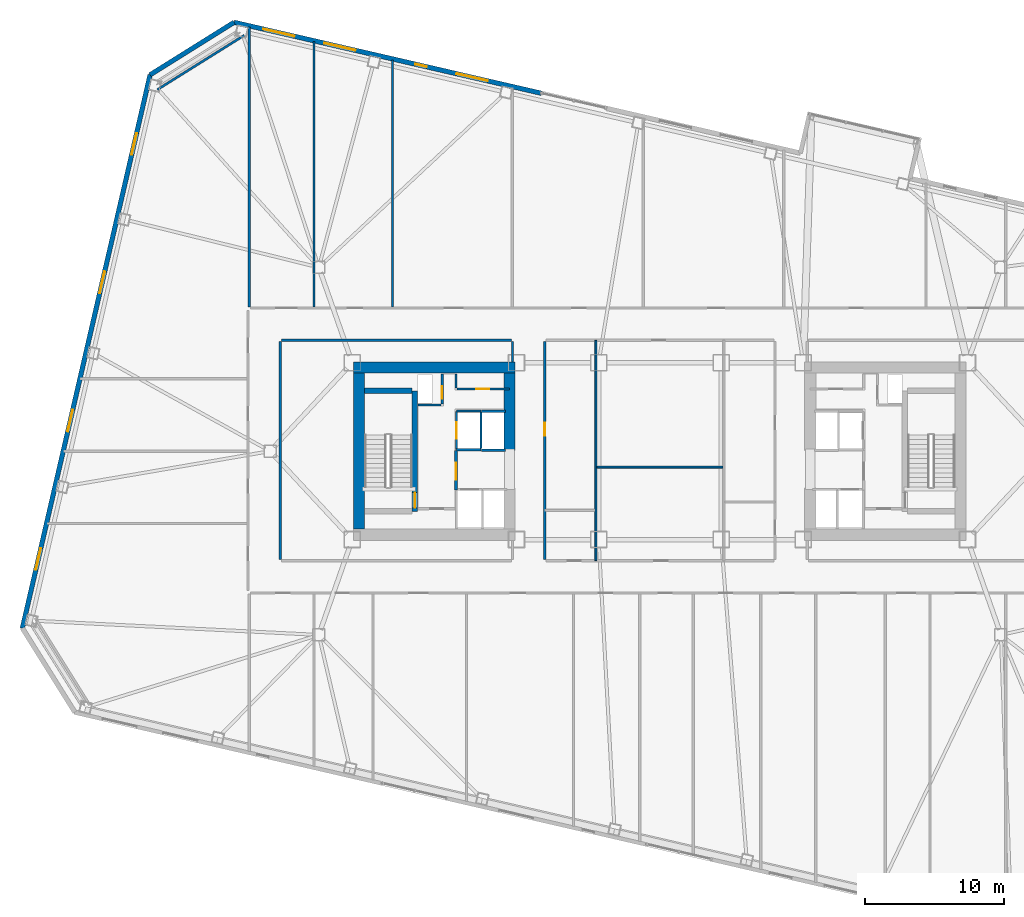
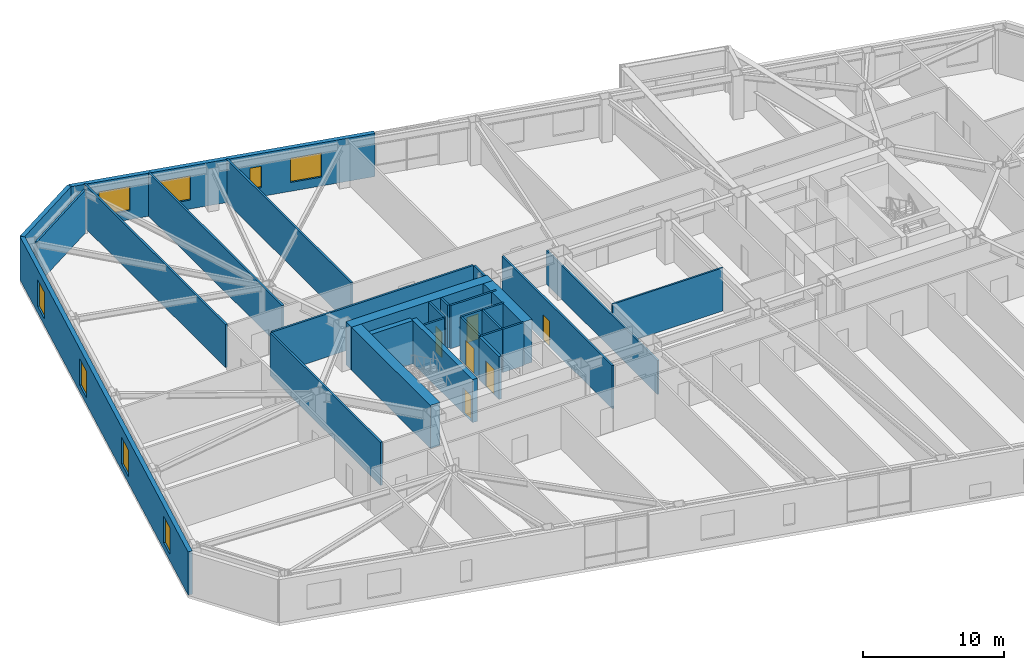
# One storey, part 15 of 23: 29 walls, 8 windows, 6 doors, 14 openings.
"""IFC4 building model written with IfcOpenShell, lengths in metres."""

from ifc_helpers import new_model, si_unit, direction, frame, frame_2d, origin, place, context, subcontext, project, spatial, rectangle, extrude, material, layer, layer_set, type_object, element, fill, save


model = new_model("IFC4")

# Units and contexts
model_context = context("Model", 3, precision=1e-05, world=origin(), true_north=direction((0.0, 1.0)))
body_context = subcontext(model_context, "Body", "Model", "MODEL_VIEW")
ifc_project = project(units=[si_unit("LENGTHUNIT", "METRE"), si_unit("AREAUNIT", "SQUARE_METRE"), si_unit("VOLUMEUNIT", "CUBIC_METRE"), si_unit("PLANEANGLEUNIT", "RADIAN"), si_unit("MASSUNIT", "GRAM", prefix="KILO")], contexts=[model_context])

# Site, building, storey
site_placement = place(None, origin())
site = spatial("IfcSite", under=ifc_project, at=site_placement, CompositionType="ELEMENT")
building_placement = place(site_placement, origin())
building = spatial("IfcBuilding", under=site, at=building_placement, Name="Tavrogorsk Clinical Tower", CompositionType="ELEMENT")
storey_placement = place(building_placement, frame((0.0, 0.0, 63.39990234375)))
storey = spatial("IfcBuildingStorey", under=building, at=storey_placement, Name="L13", CompositionType="ELEMENT", Elevation=63.39990234375)

# Wall, opening, door
ifc_material_1 = material(Name="Concrete B60", Category="concrete")
ifc_layer_1 = layer(ifc_material_1, 0.199951171875)
ifc_layer_set_1 = layer_set([ifc_layer_1], Name="Concrete B60")
wall_type_1 = type_object("IfcWallType", Name="CoreFireWall_200", PredefinedType="SOLIDWALL", material=ifc_layer_set_1)
wall_1_placement = place(storey_placement, frame((-14.639892578125, -2.780029296875, 0.0), z_axis=(0.0, 0.0, 1.0), x_axis=(0.0, 1.0, 0.0)))
wall_1 = element("IfcWall", 1, at=wall_1_placement, inside=storey, type_object=wall_type_1, Name="L13 Core West Firefighting Lobby Fire Wall", PredefinedType="SOLIDWALL", context=body_context, shape_type="SweptSolid", body=[
    extrude(rectangle(XDim=2.820068359375, YDim=0.199951171875, at=frame_2d((1.41015625, 0.0))), origin(), (0.0, 0.0, 1.0), 3.739990234375),
])
opening_1_placement = place(wall_1_placement, frame((0.72998046875, 0.0, 0.0)))
opening_1 = element("IfcOpeningElement", 2, at=opening_1_placement, cuts=wall_1, Name="Opening FD-01", PredefinedType="OPENING", context=body_context, shape_type="SweptSolid", body=[
    extrude(rectangle(XDim=1.199951171875, YDim=2.199951171875, at=frame_2d((0.60009765625, 1.10009765625))), frame((0.0, 0.10986328125, 0.0), z_axis=(0.0, -1.0, 0.0), x_axis=(1.0, 0.0, 0.0)), (0.0, 0.0, 1.0), 0.219970703125),
])
ifc_material_2 = material(Name="Galvanised steel fire-rated door assembly", Category="steel")
door_type_1 = type_object("IfcDoorType", Name="FireDoor_FD01_1200", OperationType="NOTDEFINED", PredefinedType="DOOR", material=ifc_material_2)
door_1_placement = place(opening_1_placement, origin())
door_1 = element("IfcDoor", 3, at=door_1_placement, inside=storey, type_object=door_type_1, Name="L13 Core West Firefighting Lobby Entry Door", OperationType="SINGLE_SWING_RIGHT", OverallHeight=2.199951171875, OverallWidth=1.199951171875, PredefinedType="DOOR", context=body_context, shape_type="SweptSolid", body=[
    extrude(rectangle(XDim=1.199951171875, YDim=2.199951171875, at=frame_2d((0.60009765625, 1.10009765625))), frame((0.0, 0.02490234375, 0.0), z_axis=(0.0, -1.0, 0.0), x_axis=(1.0, 0.0, 0.0)), (0.0, 0.0, 1.0), 0.050048828125),
])
fill(opening_1, door_1)

# Walls
ifc_material_3 = material(Name="Lightweight concrete blockwork B15", Category="masonry")
ifc_layer_2 = layer(ifc_material_3, 0.139892578125)
ifc_layer_set_2 = layer_set([ifc_layer_2], Name="Lightweight concrete blockwork B15")
wall_type_2 = type_object("IfcWallType", Name="PartitionWall_140", PredefinedType="PARTITIONING", material=ifc_layer_set_2)
wall_2_placement = place(storey_placement, frame((-4.60009765625, -7.864990234375, 0.0), z_axis=(0.0, 0.0, 1.0), x_axis=(0.0, 1.0, 0.0)))
element("IfcWall", 4, at=wall_2_placement, inside=storey, type_object=wall_type_2, Name="L13 Central Spine Partition 1", PredefinedType="PARTITIONING", context=body_context, shape_type="SweptSolid", body=[
    extrude(rectangle(XDim=15.830078125, YDim=0.139892578125, at=frame_2d((7.9150390625, 0.0))), origin(), (0.0, 0.0, 1.0), 2.93505859375),
])
wall_3_placement = place(storey_placement, frame((-4.52490234375, -1.14990234375, 0.0), z_axis=(0.0, 0.0, 1.0), x_axis=(1.0, 0.0, 0.0)))
element("IfcWall", 5, at=wall_3_placement, inside=storey, type_object=wall_type_2, Name="L13 Central Spine Partition 3", PredefinedType="PARTITIONING", context=body_context, shape_type="SweptSolid", body=[
    extrude(rectangle(XDim=9.0498046875, YDim=0.139892578125, at=frame_2d((4.52490234375, 0.0))), origin(), (0.0, 0.0, 1.0), 3.739990234375),
])

# Wall, opening, door
ifc_material_4 = material(Name="Lightweight concrete blockwork B15", Category="masonry")
ifc_layer_3 = layer(ifc_material_4, 0.159912109375)
ifc_layer_set_3 = layer_set([ifc_layer_3], Name="Lightweight concrete blockwork B15")
wall_type_3 = type_object("IfcWallType", Name="PartitionWall_160", PredefinedType="PARTITIONING", material=ifc_layer_set_3)
wall_4_placement = place(storey_placement, frame((-14.554931640625, 4.4599609375, 0.0), z_axis=(0.0, 0.0, 1.0), x_axis=(1.0, 0.0, 0.0)))
wall_4 = element("IfcWall", 6, at=wall_4_placement, inside=storey, type_object=wall_type_3, Name="L13 Core West Pneumatic Dispatch South Wall", PredefinedType="PARTITIONING", context=body_context, shape_type="SweptSolid", body=[
    extrude(rectangle(XDim=3.7548828125, YDim=0.159912109375, at=frame_2d((1.87744140625, 0.0))), origin(), (0.0, 0.0, 1.0), 3.739990234375),
])
opening_2_placement = place(wall_4_placement, frame((1.35009765625, 0.0, 0.0)))
opening_2 = element("IfcOpeningElement", 7, at=opening_2_placement, cuts=wall_4, Name="Opening ID-02", PredefinedType="OPENING", context=body_context, shape_type="SweptSolid", body=[
    extrude(rectangle(XDim=0.949951171875, YDim=2.199951171875, at=frame_2d((0.47509765625, 1.10009765625))), frame((0.0, 0.08984375, 0.0), z_axis=(0.0, -1.0, 0.0), x_axis=(1.0, 0.0, 0.0)), (0.0, 0.0, 1.0), 0.179931640625),
])
ifc_material_5 = material(Name="Laminated timber leaf on aluminium frame", Category="wood")
door_type_2 = type_object("IfcDoorType", Name="InteriorDoor_ID02_950", OperationType="NOTDEFINED", PredefinedType="DOOR", material=ifc_material_5)
door_2_placement = place(opening_2_placement, origin())
door_2 = element("IfcDoor", 8, at=door_2_placement, inside=storey, type_object=door_type_2, Name="L13 Core West Pneumatic Dispatch Door", OperationType="SINGLE_SWING_LEFT", OverallHeight=2.199951171875, OverallWidth=0.949951171875, PredefinedType="DOOR", context=body_context, shape_type="SweptSolid", body=[
    extrude(rectangle(XDim=0.949951171875, YDim=2.199951171875, at=frame_2d((0.47509765625, 1.10009765625))), frame((0.0, 0.02490234375, 0.0), z_axis=(0.0, -1.0, 0.0), x_axis=(1.0, 0.0, 0.0)), (0.0, 0.0, 1.0), 0.050048828125),
])
fill(opening_2, door_2)

# Walls
wall_5_placement = place(storey_placement, frame((-14.639892578125, 4.544921875, 0.0), z_axis=(0.0, 0.0, 1.0), x_axis=(0.0, 1.0, 0.0)))
element("IfcWall", 9, at=wall_5_placement, inside=storey, type_object=wall_type_3, Name="L13 Core West Pneumatic Dispatch East Wall", PredefinedType="PARTITIONING", context=body_context, shape_type="SweptSolid", body=[
    extrude(rectangle(XDim=1.01513671875, YDim=0.159912109375, at=frame_2d((0.507568359375, 0.0))), origin(), (0.0, 0.0, 1.0), 3.739990234375),
])
wall_6_placement = place(storey_placement, frame((-29.859619140625, 29.8681640625, 0.0), z_axis=(0.0, 0.0, 1.0), x_axis=(-0.848043064089, -0.529927317139, 0.0)))
element("IfcWall", 10, at=wall_6_placement, inside=storey, type_object=wall_type_3, Name="L13 Corner Exoskeleton Brace Furring Wall 3", PredefinedType="PARTITIONING", context=body_context, shape_type="SweptSolid", body=[
    extrude(rectangle(XDim=7.353759765625, YDim=0.159912109375, at=frame_2d((3.6767578125, 0.0))), origin(), (0.0, 0.0, 1.0), 3.739990234375),
])

# Wall, opening, door
wall_7_placement = place(storey_placement, frame((-8.27001953125, 7.885009765625, 0.0), z_axis=(0.0, 0.0, 1.0), x_axis=(0.0, -1.0, 0.0)))
wall_7 = element("IfcWall", 11, at=wall_7_placement, inside=storey, type_object=wall_type_3, Name="L13 Corridor Partition 12", PredefinedType="PARTITIONING", context=body_context, shape_type="SweptSolid", body=[
    extrude(rectangle(XDim=15.669921875, YDim=0.159912109375, at=frame_2d((7.8349609375, 0.0))), origin(), (0.0, 0.0, 1.0), 3.739990234375),
])
opening_3_placement = place(wall_7_placement, frame((5.8291015625, 0.0, 0.0)))
opening_3 = element("IfcOpeningElement", 12, at=opening_3_placement, cuts=wall_7, Name="Opening ID-02", PredefinedType="OPENING", context=body_context, shape_type="SweptSolid", body=[
    extrude(rectangle(XDim=0.949951171875, YDim=2.199951171875, at=frame_2d((0.47509765625, 1.10009765625))), frame((0.0, 0.08984375, 0.0), z_axis=(0.0, -1.0, 0.0), x_axis=(1.0, 0.0, 0.0)), (0.0, 0.0, 1.0), 0.179931640625),
])
door_3_placement = place(opening_3_placement, origin())
door_3 = element("IfcDoor", 13, at=door_3_placement, inside=storey, type_object=door_type_2, Name="L13 Ward Nourishment Pantry Door", OperationType="SINGLE_SWING_RIGHT", OverallHeight=2.199951171875, OverallWidth=0.949951171875, PredefinedType="DOOR", context=body_context, shape_type="SweptSolid", body=[
    extrude(rectangle(XDim=0.949951171875, YDim=2.199951171875, at=frame_2d((0.47509765625, 1.10009765625))), frame((0.0, 0.02490234375, 0.0), z_axis=(0.0, -1.0, 0.0), x_axis=(1.0, 0.0, 0.0)), (0.0, 0.0, 1.0), 0.050048828125),
])
fill(opening_3, door_3)

# Walls
wall_8_placement = place(storey_placement, frame((-10.580078125, 6.419921875, 0.0), z_axis=(0.0, 0.0, 1.0), x_axis=(0.0, 1.0, 0.0)))
element("IfcWall", 14, at=wall_8_placement, inside=storey, type_object=wall_type_3, Name="L13 Corridor Partition 15", PredefinedType="PARTITIONING", context=body_context, shape_type="SweptSolid", body=[
    extrude(rectangle(XDim=1.465087890625, YDim=0.159912109375, at=frame_2d((0.732421875, 0.0))), origin(), (0.0, 0.0, 1.0), 3.739990234375),
])
wall_9_placement = place(storey_placement, frame((-10.6650390625, 7.969970703125, 0.0), z_axis=(0.0, 0.0, 1.0), x_axis=(-1.0, 0.0, 0.0)))
element("IfcWall", 15, at=wall_9_placement, inside=storey, type_object=wall_type_3, Name="L13 Corridor Partition 16", PredefinedType="PARTITIONING", context=body_context, shape_type="SweptSolid", body=[
    extrude(rectangle(XDim=16.52001953125, YDim=0.159912109375, at=frame_2d((8.260009765625, 0.0))), origin(), (0.0, 0.0, 1.0), 3.739990234375),
])
wall_10_placement = place(storey_placement, frame((-27.27001953125, 7.885009765625, 0.0), z_axis=(0.0, 0.0, 1.0), x_axis=(0.0, -1.0, 0.0)))
element("IfcWall", 16, at=wall_10_placement, inside=storey, type_object=wall_type_3, Name="L13 Corridor Partition 17", PredefinedType="PARTITIONING", context=body_context, shape_type="SweptSolid", body=[
    extrude(rectangle(XDim=15.669921875, YDim=0.159912109375, at=frame_2d((7.8349609375, 0.0))), origin(), (0.0, 0.0, 1.0), 3.739990234375),
])
wall_11_placement = place(storey_placement, frame((-29.5, 10.364990234375, 0.0), z_axis=(0.0, 0.0, 1.0), x_axis=(0.0, 1.0, 0.0)))
element("IfcWall", 17, at=wall_11_placement, inside=storey, type_object=wall_type_3, Name="L13 NW Wing Closure Partition", PredefinedType="PARTITIONING", context=body_context, shape_type="SweptSolid", body=[
    extrude(rectangle(XDim=20.11865234375, YDim=0.159912109375, at=frame_2d((10.059326171875, 0.0))), origin(), (0.0, 0.0, 1.0), 3.739990234375),
])
wall_12_placement = place(storey_placement, frame((-24.85009765625, 10.364990234375, 0.0), z_axis=(0.0, 0.0, 1.0), x_axis=(0.0, 1.0, 0.0)))
element("IfcWall", 18, at=wall_12_placement, inside=storey, type_object=wall_type_3, Name="L13 North Room Partition 1", PredefinedType="PARTITIONING", context=body_context, shape_type="SweptSolid", body=[
    extrude(rectangle(XDim=19.045166015625, YDim=0.159912109375, at=frame_2d((9.5224609375, 0.0))), origin(), (0.0, 0.0, 1.0), 3.739990234375),
])
wall_13_placement = place(storey_placement, frame((-19.199951171875, 10.364990234375, 0.0), z_axis=(0.0, 0.0, 1.0), x_axis=(0.0, 1.0, 0.0)))
element("IfcWall", 19, at=wall_13_placement, inside=storey, type_object=wall_type_3, Name="L13 North Room Partition 2", PredefinedType="PARTITIONING", context=body_context, shape_type="SweptSolid", body=[
    extrude(rectangle(XDim=17.74072265625, YDim=0.159912109375, at=frame_2d((8.870361328125, 0.0))), origin(), (0.0, 0.0, 1.0), 3.739990234375),
])

# Wall, openings, windows
ifc_material_6 = material(Name="Precast concrete B45 with limestone cladding", Category="masonry")
ifc_layer_4 = layer(ifc_material_6, 0.340087890625)
ifc_layer_set_4 = layer_set([ifc_layer_4], Name="Precast concrete B45 with limestone cladding")
wall_type_4 = type_object("IfcWallType", Name="PrecastLimestoneWall_340", PredefinedType="STANDARD", material=ifc_layer_set_4)
wall_14_placement = place(storey_placement, frame((-8.5166015625, 25.711181640625, 0.0), z_axis=(0.0, 0.0, 1.0), x_axis=(-0.974372845456, 0.224939009598, 0.0)))
wall_14 = element("IfcWall", 20, at=wall_14_placement, inside=storey, type_object=wall_type_4, Name="L13 N Limestone Facade Wall 3", PredefinedType="STANDARD", context=body_context, shape_type="SweptSolid", body=[
    extrude(rectangle(XDim=22.651611328125, YDim=0.340087890625, at=frame_2d((11.32568359375, 0.0))), origin(), (0.0, 0.0, 1.0), 3.739990234375),
])
opening_4_placement = place(wall_14_placement, frame((18.189208984375, 0.0, 0.77001953125)))
opening_4 = element("IfcOpeningElement", 21, at=opening_4_placement, cuts=wall_14, Name="Opening WN-12", PredefinedType="OPENING", context=body_context, shape_type="SweptSolid", body=[
    extrude(rectangle(XDim=2.300048828125, YDim=2.10009765625, at=frame_2d((1.14990234375, 1.050048828125))), frame((0.0, 0.179931640625, 0.0), z_axis=(0.0, -1.0, 0.0), x_axis=(1.0, 0.0, 0.0)), (0.0, 0.0, 1.0), 0.360107421875),
])
opening_5_placement = place(wall_14_placement, frame((13.704833984375, 0.0, 0.77001953125)))
opening_5 = element("IfcOpeningElement", 22, at=opening_5_placement, cuts=wall_14, Name="Opening WN-12", PredefinedType="OPENING", context=body_context, shape_type="SweptSolid", body=[
    extrude(rectangle(XDim=2.300048828125, YDim=2.10009765625, at=frame_2d((1.14990234375, 1.050048828125))), frame((0.0, 0.179931640625, 0.0), z_axis=(0.0, -1.0, 0.0), x_axis=(1.0, 0.0, 0.0)), (0.0, 0.0, 1.0), 0.360107421875),
])
opening_6_placement = place(wall_14_placement, frame((8.440673828125, 0.0, 0.77001953125)))
opening_6 = element("IfcOpeningElement", 23, at=opening_6_placement, cuts=wall_14, Name="Opening WN-06", PredefinedType="OPENING", context=body_context, shape_type="SweptSolid", body=[
    extrude(rectangle(XDim=0.85009765625, YDim=1.85009765625, at=frame_2d((0.425048828125, 0.925048828125))), frame((0.0, 0.179931640625, 0.0), z_axis=(0.0, -1.0, 0.0), x_axis=(1.0, 0.0, 0.0)), (0.0, 0.0, 1.0), 0.360107421875),
])
opening_7_placement = place(wall_14_placement, frame((3.956298828125, 0.0, 0.77001953125)))
opening_7 = element("IfcOpeningElement", 24, at=opening_7_placement, cuts=wall_14, Name="Opening WN-12", PredefinedType="OPENING", context=body_context, shape_type="SweptSolid", body=[
    extrude(rectangle(XDim=2.300048828125, YDim=2.10009765625, at=frame_2d((1.14990234375, 1.050048828125))), frame((0.0, 0.179931640625, 0.0), z_axis=(0.0, -1.0, 0.0), x_axis=(1.0, 0.0, 0.0)), (0.0, 0.0, 1.0), 0.360107421875),
])
ifc_material_7 = material(Name="Thermally broken aluminium frame and triple IGU", Category="aluminium")
window_type_1 = type_object("IfcWindowType", Name="MullionSubWin_850x1850", PartitioningType="SINGLE_PANEL", PredefinedType="WINDOW", material=ifc_material_7)
window_1_placement = place(opening_6_placement, origin())
window_1 = element("IfcWindow", 25, at=window_1_placement, inside=storey, type_object=window_type_1, Name="L13 N Mullion Split Window 03A", OverallHeight=1.85009765625, OverallWidth=0.85009765625, PartitioningType="SINGLE_PANEL", PredefinedType="WINDOW", context=body_context, shape_type="SweptSolid", body=[
    extrude(rectangle(XDim=0.85009765625, YDim=1.85009765625, at=frame_2d((0.425048828125, 0.925048828125))), frame((0.0, 0.030029296875, 0.0), z_axis=(0.0, -1.0, 0.0), x_axis=(1.0, 0.0, 0.0)), (0.0, 0.0, 1.0), 0.06005859375),
])
fill(opening_6, window_1)
ifc_material_8 = material(Name="Thermally broken aluminium frame and triple IGU", Category="aluminium")
window_type_2 = type_object("IfcWindowType", Name="RecoveryWin_2300x2100", PartitioningType="DOUBLE_PANEL_VERTICAL", PredefinedType="WINDOW", material=ifc_material_8)
window_2_placement = place(opening_4_placement, origin())
window_2 = element("IfcWindow", 26, at=window_2_placement, inside=storey, type_object=window_type_2, Name="L13 N Chicago Window 01", OverallHeight=2.10009765625, OverallWidth=2.300048828125, PartitioningType="SINGLE_PANEL", PredefinedType="WINDOW", context=body_context, shape_type="SweptSolid", body=[
    extrude(rectangle(XDim=2.300048828125, YDim=2.10009765625, at=frame_2d((1.14990234375, 1.050048828125))), frame((0.0, 0.030029296875, 0.0), z_axis=(0.0, -1.0, 0.0), x_axis=(1.0, 0.0, 0.0)), (0.0, 0.0, 1.0), 0.06005859375),
])
fill(opening_4, window_2)
window_3_placement = place(opening_5_placement, origin())
window_3 = element("IfcWindow", 27, at=window_3_placement, inside=storey, type_object=window_type_2, Name="L13 N Chicago Window 02", OverallHeight=2.10009765625, OverallWidth=2.300048828125, PartitioningType="SINGLE_PANEL", PredefinedType="WINDOW", context=body_context, shape_type="SweptSolid", body=[
    extrude(rectangle(XDim=2.300048828125, YDim=2.10009765625, at=frame_2d((1.14990234375, 1.050048828125))), frame((0.0, 0.030029296875, 0.0), z_axis=(0.0, -1.0, 0.0), x_axis=(1.0, 0.0, 0.0)), (0.0, 0.0, 1.0), 0.06005859375),
])
fill(opening_5, window_3)
window_4_placement = place(opening_7_placement, origin())
window_4 = element("IfcWindow", 28, at=window_4_placement, inside=storey, type_object=window_type_2, Name="L13 N Chicago Window 04", OverallHeight=2.10009765625, OverallWidth=2.300048828125, PartitioningType="SINGLE_PANEL", PredefinedType="WINDOW", context=body_context, shape_type="SweptSolid", body=[
    extrude(rectangle(XDim=2.300048828125, YDim=2.10009765625, at=frame_2d((1.14990234375, 1.050048828125))), frame((0.0, 0.030029296875, 0.0), z_axis=(0.0, -1.0, 0.0), x_axis=(1.0, 0.0, 0.0)), (0.0, 0.0, 1.0), 0.06005859375),
])
fill(opening_7, window_4)

wall_15_placement = place(storey_placement, frame((-36.6201171875, 27.036865234375, 0.0), z_axis=(0.0, 0.0, 1.0), x_axis=(-0.224951280646, -0.974370012539, 0.0)))
wall_15 = element("IfcWall", 29, at=wall_15_placement, inside=storey, type_object=wall_type_4, Name="L13 W Pleated Limestone Wing Wall", PredefinedType="STANDARD", context=body_context, shape_type="SweptSolid", body=[
    extrude(rectangle(XDim=40.7998046875, YDim=0.340087890625, at=frame_2d((20.39990234375, 0.0))), origin(), (0.0, 0.0, 1.0), 3.739990234375),
])
opening_8_placement = place(wall_15_placement, frame((4.300048828125, 0.0, 0.580078125)))
opening_8 = element("IfcOpeningElement", 30, at=opening_8_placement, cuts=wall_15, Name="Opening WN-07", PredefinedType="OPENING", context=body_context, shape_type="SweptSolid", body=[
    extrude(rectangle(XDim=1.60009765625, YDim=2.300048828125, at=frame_2d((0.800048828125, 1.14990234375))), frame((0.0, 0.179931640625, 0.0), z_axis=(0.0, -1.0, 0.0), x_axis=(1.0, 0.0, 0.0)), (0.0, 0.0, 1.0), 0.360107421875),
])
opening_9_placement = place(wall_15_placement, frame((14.5, 0.0, 0.580078125)))
opening_9 = element("IfcOpeningElement", 31, at=opening_9_placement, cuts=wall_15, Name="Opening WN-07", PredefinedType="OPENING", context=body_context, shape_type="SweptSolid", body=[
    extrude(rectangle(XDim=1.60009765625, YDim=2.300048828125, at=frame_2d((0.800048828125, 1.14990234375))), frame((0.0, 0.179931640625, 0.0), z_axis=(0.0, -1.0, 0.0), x_axis=(1.0, 0.0, 0.0)), (0.0, 0.0, 1.0), 0.360107421875),
])
opening_10_placement = place(wall_15_placement, frame((24.699951171875, 0.0, 0.580078125)))
opening_10 = element("IfcOpeningElement", 32, at=opening_10_placement, cuts=wall_15, Name="Opening WN-07", PredefinedType="OPENING", context=body_context, shape_type="SweptSolid", body=[
    extrude(rectangle(XDim=1.60009765625, YDim=2.300048828125, at=frame_2d((0.800048828125, 1.14990234375))), frame((0.0, 0.179931640625, 0.0), z_axis=(0.0, -1.0, 0.0), x_axis=(1.0, 0.0, 0.0)), (0.0, 0.0, 1.0), 0.360107421875),
])
opening_11_placement = place(wall_15_placement, frame((34.89990234375, 0.0, 0.580078125)))
opening_11 = element("IfcOpeningElement", 33, at=opening_11_placement, cuts=wall_15, Name="Opening WN-07", PredefinedType="OPENING", context=body_context, shape_type="SweptSolid", body=[
    extrude(rectangle(XDim=1.60009765625, YDim=2.300048828125, at=frame_2d((0.800048828125, 1.14990234375))), frame((0.0, 0.179931640625, 0.0), z_axis=(0.0, -1.0, 0.0), x_axis=(1.0, 0.0, 0.0)), (0.0, 0.0, 1.0), 0.360107421875),
])
ifc_material_9 = material(Name="Thermally broken aluminium frame and triple IGU", Category="aluminium")
window_type_3 = type_object("IfcWindowType", Name="PleatSlotWin_1600x2300", PartitioningType="SINGLE_PANEL", PredefinedType="WINDOW", material=ifc_material_9)
window_5_placement = place(opening_8_placement, origin())
window_5 = element("IfcWindow", 34, at=window_5_placement, inside=storey, type_object=window_type_3, Name="L13 W Pleat Slot Window 1", OverallHeight=2.300048828125, OverallWidth=1.60009765625, PartitioningType="SINGLE_PANEL", PredefinedType="WINDOW", context=body_context, shape_type="SweptSolid", body=[
    extrude(rectangle(XDim=1.60009765625, YDim=2.300048828125, at=frame_2d((0.800048828125, 1.14990234375))), frame((0.0, 0.030029296875, 0.0), z_axis=(0.0, -1.0, 0.0), x_axis=(1.0, 0.0, 0.0)), (0.0, 0.0, 1.0), 0.06005859375),
])
fill(opening_8, window_5)
window_6_placement = place(opening_9_placement, origin())
window_6 = element("IfcWindow", 35, at=window_6_placement, inside=storey, type_object=window_type_3, Name="L13 W Pleat Slot Window 2", OverallHeight=2.300048828125, OverallWidth=1.60009765625, PartitioningType="SINGLE_PANEL", PredefinedType="WINDOW", context=body_context, shape_type="SweptSolid", body=[
    extrude(rectangle(XDim=1.60009765625, YDim=2.300048828125, at=frame_2d((0.800048828125, 1.14990234375))), frame((0.0, 0.030029296875, 0.0), z_axis=(0.0, -1.0, 0.0), x_axis=(1.0, 0.0, 0.0)), (0.0, 0.0, 1.0), 0.06005859375),
])
fill(opening_9, window_6)
window_7_placement = place(opening_10_placement, origin())
window_7 = element("IfcWindow", 36, at=window_7_placement, inside=storey, type_object=window_type_3, Name="L13 W Pleat Slot Window 3", OverallHeight=2.300048828125, OverallWidth=1.60009765625, PartitioningType="SINGLE_PANEL", PredefinedType="WINDOW", context=body_context, shape_type="SweptSolid", body=[
    extrude(rectangle(XDim=1.60009765625, YDim=2.300048828125, at=frame_2d((0.800048828125, 1.14990234375))), frame((0.0, 0.030029296875, 0.0), z_axis=(0.0, -1.0, 0.0), x_axis=(1.0, 0.0, 0.0)), (0.0, 0.0, 1.0), 0.06005859375),
])
fill(opening_10, window_7)
window_8_placement = place(opening_11_placement, origin())
window_8 = element("IfcWindow", 37, at=window_8_placement, inside=storey, type_object=window_type_3, Name="L13 W Pleat Slot Window 4", OverallHeight=2.300048828125, OverallWidth=1.60009765625, PartitioningType="SINGLE_PANEL", PredefinedType="WINDOW", context=body_context, shape_type="SweptSolid", body=[
    extrude(rectangle(XDim=1.60009765625, YDim=2.300048828125, at=frame_2d((0.800048828125, 1.14990234375))), frame((0.0, 0.030029296875, 0.0), z_axis=(0.0, -1.0, 0.0), x_axis=(1.0, 0.0, 0.0)), (0.0, 0.0, 1.0), 0.06005859375),
])
fill(opening_11, window_8)

# Wall
wall_16_placement = place(storey_placement, frame((-30.587646484375, 30.806640625, 0.0), z_axis=(0.0, 0.0, 1.0), x_axis=(-0.848031080615, -0.529946493819, 0.0)))
element("IfcWall", 38, at=wall_16_placement, inside=storey, type_object=wall_type_4, Name="L13 Chamfered Corner Wall 3", PredefinedType="STANDARD", context=body_context, shape_type="SweptSolid", body=[
    extrude(rectangle(XDim=7.113525390625, YDim=0.340087890625, at=frame_2d((3.556640625, 0.0))), origin(), (0.0, 0.0, 1.0), 3.739990234375),
])

# Wall, opening, door
ifc_material_10 = material(Name="Lightweight concrete blockwork B25", Category="masonry")
ifc_layer_5 = layer(ifc_material_10, 0.159912109375)
ifc_layer_set_5 = layer_set([ifc_layer_5], Name="Lightweight concrete blockwork B25")
wall_type_5 = type_object("IfcWallType", Name="ShaftWall_160", PredefinedType="PARTITIONING", material=ifc_layer_set_5)
wall_17_placement = place(storey_placement, frame((-14.60009765625, 0.1201171875, 0.0), z_axis=(0.0, 0.0, 1.0), x_axis=(0.0, 1.0, 0.0)))
wall_17 = element("IfcWall", 39, at=wall_17_placement, inside=storey, type_object=wall_type_5, Name="L13 FFL-W Firefighting Lift Front Wall", PredefinedType="PARTITIONING", context=body_context, shape_type="SweptSolid", body=[
    extrude(rectangle(XDim=2.739990234375, YDim=0.159912109375, at=frame_2d((1.3701171875, 0.0))), origin(), (0.0, 0.0, 1.0), 3.739990234375),
])
opening_12_placement = place(wall_17_placement, frame((0.77001953125, 0.0, 0.0)))
opening_12 = element("IfcOpeningElement", 40, at=opening_12_placement, cuts=wall_17, Name="Opening LD", PredefinedType="OPENING", context=body_context, shape_type="SweptSolid", body=[
    extrude(rectangle(XDim=1.199951171875, YDim=2.199951171875, at=frame_2d((0.60009765625, 1.10009765625))), frame((0.0, 0.08984375, 0.0), z_axis=(0.0, -1.0, 0.0), x_axis=(1.0, 0.0, 0.0)), (0.0, 0.0, 1.0), 0.179931640625),
])
ifc_material_11 = material(Name="Brushed stainless steel AISI 304 sliding doors", Category="steel")
door_type_3 = type_object("IfcDoorType", Name="LiftLandingDoor_LD_1200", OperationType="SLIDING_TO_LEFT", PredefinedType="DOOR", material=ifc_material_11)
door_4_placement = place(opening_12_placement, origin())
door_4 = element("IfcDoor", 41, at=door_4_placement, inside=storey, type_object=door_type_3, Name="L13 FFL-W Sliding Lift Landing Door", OperationType="SLIDING_TO_LEFT", OverallHeight=2.199951171875, OverallWidth=1.199951171875, PredefinedType="DOOR", context=body_context, shape_type="SweptSolid", body=[
    extrude(rectangle(XDim=1.199951171875, YDim=2.199951171875, at=frame_2d((0.60009765625, 1.10009765625))), frame((0.0, 0.02490234375, 0.0), z_axis=(0.0, -1.0, 0.0), x_axis=(1.0, 0.0, 0.0)), (0.0, 0.0, 1.0), 0.050048828125),
])
fill(opening_12, door_4)

# Walls
for number, where, z_axis, x_axis, name in (
    (42, (-14.60009765625, 0.10009765625, 0.0), (0.0, 0.0, 1.0), (1.0, 0.0, 0.0), "L13 FFL-W Shaft South Wall"),
    (43, (-14.60009765625, 2.8798828125, 0.0), (0.0, 0.0, 1.0), (1.0, 0.0, 0.0), "L13 FFL-W Shaft North Wall"),
):
    element("IfcWall", number, at=place(storey_placement, frame(where, z_axis=z_axis, x_axis=x_axis)), inside=storey, type_object=wall_type_5, Name=name, PredefinedType="PARTITIONING", context=body_context, shape_type="SweptSolid", body=[
        extrude(rectangle(XDim=1.760009765625, YDim=0.159912109375, at=frame_2d((0.8798828125, 0.0))), origin(), (0.0, 0.0, 1.0), 3.739990234375),
    ])
wall_18_placement = place(storey_placement, frame((-12.840087890625, 0.179931640625, 0.0), z_axis=(0.0, 0.0, 1.0), x_axis=(0.0, 1.0, 0.0)))
element("IfcWall", 44, at=wall_18_placement, inside=storey, type_object=wall_type_5, Name="L13 FFL-W Shaft Back Wall", PredefinedType="PARTITIONING", context=body_context, shape_type="SweptSolid", body=[
    extrude(rectangle(XDim=2.6201171875, YDim=0.159912109375, at=frame_2d((1.31005859375, 0.0))), origin(), (0.0, 0.0, 1.0), 3.739990234375),
])
for number, where, z_axis, x_axis, name in (
    (45, (-12.820068359375, 0.06005859375, 0.0), (0.0, 0.0, 1.0), (1.0, 0.0, 0.0), "L13 LP-H1 High-Zone Lift Portal Wall"),
    (46, (-12.820068359375, 2.860107421875, 0.0), (0.0, 0.0, 1.0), (1.0, 0.0, 0.0), "L13 LP-H1 High-Zone Lift Rear Wall"),
):
    element("IfcWall", number, at=place(storey_placement, frame(where, z_axis=z_axis, x_axis=x_axis)), inside=storey, type_object=wall_type_5, Name=name, PredefinedType="PARTITIONING", context=body_context, shape_type="SweptSolid", body=[
        extrude(rectangle(XDim=1.719970703125, YDim=0.159912109375, at=frame_2d((0.85986328125, 0.0))), origin(), (0.0, 0.0, 1.0), 3.739990234375),
    ])

# Wall, opening, door
wall_19_placement = place(storey_placement, frame((-15.639892578125, 3.405029296875, 0.0), z_axis=(0.0, 0.0, 1.0), x_axis=(0.0, 1.0, 0.0)))
wall_19 = element("IfcWall", 47, at=wall_19_placement, inside=storey, type_object=wall_type_5, Name="L13 Core West Riser West Wall", PredefinedType="PARTITIONING", context=body_context, shape_type="SweptSolid", body=[
    extrude(rectangle(XDim=2.155029296875, YDim=0.159912109375, at=frame_2d((1.07763671875, 0.0))), origin(), (0.0, 0.0, 1.0), 3.739990234375),
])
opening_13_placement = place(wall_19_placement, frame((0.35009765625, 0.0, 0.0)))
opening_13 = element("IfcOpeningElement", 48, at=opening_13_placement, cuts=wall_19, Name="Opening FD-02", PredefinedType="OPENING", context=body_context, shape_type="SweptSolid", body=[
    extrude(rectangle(XDim=0.89990234375, YDim=2.199951171875, at=frame_2d((0.449951171875, 1.10009765625))), frame((0.0, 0.08984375, 0.0), z_axis=(0.0, -1.0, 0.0), x_axis=(1.0, 0.0, 0.0)), (0.0, 0.0, 1.0), 0.179931640625),
])
ifc_material_12 = material(Name="Galvanised steel fire-rated door assembly", Category="steel")
door_type_4 = type_object("IfcDoorType", Name="FireDoor_FD02_900", OperationType="NOTDEFINED", PredefinedType="DOOR", material=ifc_material_12)
door_5_placement = place(opening_13_placement, origin())
door_5 = element("IfcDoor", 49, at=door_5_placement, inside=storey, type_object=door_type_4, Name="L13 Core West Electrical Riser Access Door", OperationType="SINGLE_SWING_LEFT", OverallHeight=2.199951171875, OverallWidth=0.89990234375, PredefinedType="DOOR", context=body_context, shape_type="SweptSolid", body=[
    extrude(rectangle(XDim=0.89990234375, YDim=2.199951171875, at=frame_2d((0.449951171875, 1.10009765625))), frame((0.0, 0.02490234375, 0.0), z_axis=(0.0, -1.0, 0.0), x_axis=(1.0, 0.0, 0.0)), (0.0, 0.0, 1.0), 0.050048828125),
])
fill(opening_13, door_5)

# Wall
wall_20_placement = place(storey_placement, frame((-17.3798828125, 3.320068359375, 0.0), z_axis=(0.0, 0.0, 1.0), x_axis=(1.0, 0.0, 0.0)))
element("IfcWall", 50, at=wall_20_placement, inside=storey, type_object=wall_type_5, Name="L13 Core West Riser South Wall", PredefinedType="PARTITIONING", context=body_context, shape_type="SweptSolid", body=[
    extrude(rectangle(XDim=1.65478515625, YDim=0.159912109375, at=frame_2d((0.827392578125, 0.0))), origin(), (0.0, 0.0, 1.0), 3.739990234375),
])

# Wall, opening, door
ifc_material_13 = material(Name="Concrete B80", Category="concrete")
ifc_layer_6 = layer(ifc_material_13, 0.39990234375)
ifc_layer_set_6 = layer_set([ifc_layer_6], Name="Concrete B80")
wall_type_6 = type_object("IfcWallType", Name="ShearWall_400", PredefinedType="SHEAR", material=ifc_layer_set_6)
wall_21_placement = place(storey_placement, frame((-17.60009765625, -4.324951171875, 0.0), z_axis=(0.0, 0.0, 1.0), x_axis=(0.0, 1.0, 0.0)))
wall_21 = element("IfcWall", 51, at=wall_21_placement, inside=storey, type_object=wall_type_6, Name="L13 Core West Stair Shaft Inner Shear Wall", PredefinedType="SHEAR", context=body_context, shape_type="SweptSolid", body=[
    extrude(rectangle(XDim=8.64990234375, YDim=0.39990234375, at=frame_2d((4.324951171875, 0.0))), origin(), (0.0, 0.0, 1.0), 3.739990234375),
])
opening_14_placement = place(wall_21_placement, frame((0.25, 0.0, 0.0)))
opening_14 = element("IfcOpeningElement", 52, at=opening_14_placement, cuts=wall_21, Name="Opening SD-01", PredefinedType="OPENING", context=body_context, shape_type="SweptSolid", body=[
    extrude(rectangle(XDim=1.10009765625, YDim=2.199951171875, at=frame_2d((0.550048828125, 1.10009765625))), frame((0.0, 0.2099609375, 0.0), z_axis=(0.0, -1.0, 0.0), x_axis=(1.0, 0.0, 0.0)), (0.0, 0.0, 1.0), 0.419921875),
])
ifc_material_14 = material(Name="Galvanised steel smoke-tight fire door assembly", Category="steel")
door_type_5 = type_object("IfcDoorType", Name="StairFireDoor_SD01_1100", OperationType="NOTDEFINED", PredefinedType="DOOR", material=ifc_material_14)
door_6_placement = place(opening_14_placement, origin())
door_6 = element("IfcDoor", 53, at=door_6_placement, inside=storey, type_object=door_type_5, Name="L13 ST-W Exit Stair Door", OperationType="SINGLE_SWING_RIGHT", OverallHeight=2.199951171875, OverallWidth=1.10009765625, PredefinedType="DOOR", context=body_context, shape_type="SweptSolid", body=[
    extrude(rectangle(XDim=1.10009765625, YDim=2.199951171875, at=frame_2d((0.550048828125, 1.10009765625))), frame((0.0, 0.02490234375, 0.0), z_axis=(0.0, -1.0, 0.0), x_axis=(1.0, 0.0, 0.0)), (0.0, 0.0, 1.0), 0.050048828125),
])
fill(opening_14, door_6)

# Walls
wall_22_placement = place(storey_placement, frame((-21.199951171875, 4.324951171875, 0.0), z_axis=(0.0, 0.0, 1.0), x_axis=(1.0, 0.0, 0.0)))
element("IfcWall", 54, at=wall_22_placement, inside=storey, type_object=wall_type_6, Name="L13 Core West Stair Shaft North Shear Wall", PredefinedType="SHEAR", context=body_context, shape_type="SweptSolid", body=[
    extrude(rectangle(XDim=3.39990234375, YDim=0.39990234375, at=frame_2d((1.699951171875, 0.0))), origin(), (0.0, 0.0, 1.0), 3.739990234375),
])
ifc_material_15 = material(Name="Concrete B80", Category="concrete")
ifc_layer_7 = layer(ifc_material_15, 0.800048828125)
ifc_layer_set_7 = layer_set([ifc_layer_7], Name="Concrete B80")
wall_type_7 = type_object("IfcWallType", Name="ShearWall_800", PredefinedType="SHEAR", material=ifc_layer_set_7)
wall_23_placement = place(storey_placement, frame((-22.0, 6.0, 0.0), z_axis=(0.0, 0.0, 1.0), x_axis=(1.0, 0.0, 0.0)))
element("IfcWall", 55, at=wall_23_placement, inside=storey, type_object=wall_type_7, Name="L13 Core West North Shear Wall", PredefinedType="SHEAR", context=body_context, shape_type="SweptSolid", body=[
    extrude(rectangle(XDim=11.60009765625, YDim=0.800048828125, at=frame_2d((5.800048828125, 0.0))), origin(), (0.0, 0.0, 1.0), 3.739990234375),
])
wall_24_placement = place(storey_placement, frame((-21.60009765625, -5.60009765625, 0.0), z_axis=(0.0, 0.0, 1.0), x_axis=(0.0, 1.0, 0.0)))
element("IfcWall", 56, at=wall_24_placement, inside=storey, type_object=wall_type_7, Name="L13 Core West End Shear Wall", PredefinedType="SHEAR", context=body_context, shape_type="SweptSolid", body=[
    extrude(rectangle(XDim=11.2001953125, YDim=0.800048828125, at=frame_2d((5.60009765625, 0.0))), origin(), (0.0, 0.0, 1.0), 3.739990234375),
])
wall_25_placement = place(storey_placement, frame((-10.800048828125, 0.050048828125, 0.0), z_axis=(0.0, 0.0, 1.0), x_axis=(0.0, 1.0, 0.0)))
element("IfcWall", 57, at=wall_25_placement, inside=storey, type_object=wall_type_7, Name="L13 Core West Inner North Pier", PredefinedType="SHEAR", context=body_context, shape_type="SweptSolid", body=[
    extrude(rectangle(XDim=5.550048828125, YDim=0.800048828125, at=frame_2d((2.77490234375, 0.0))), origin(), (0.0, 0.0, 1.0), 3.739990234375),
])

save(model, "model.ifc")
